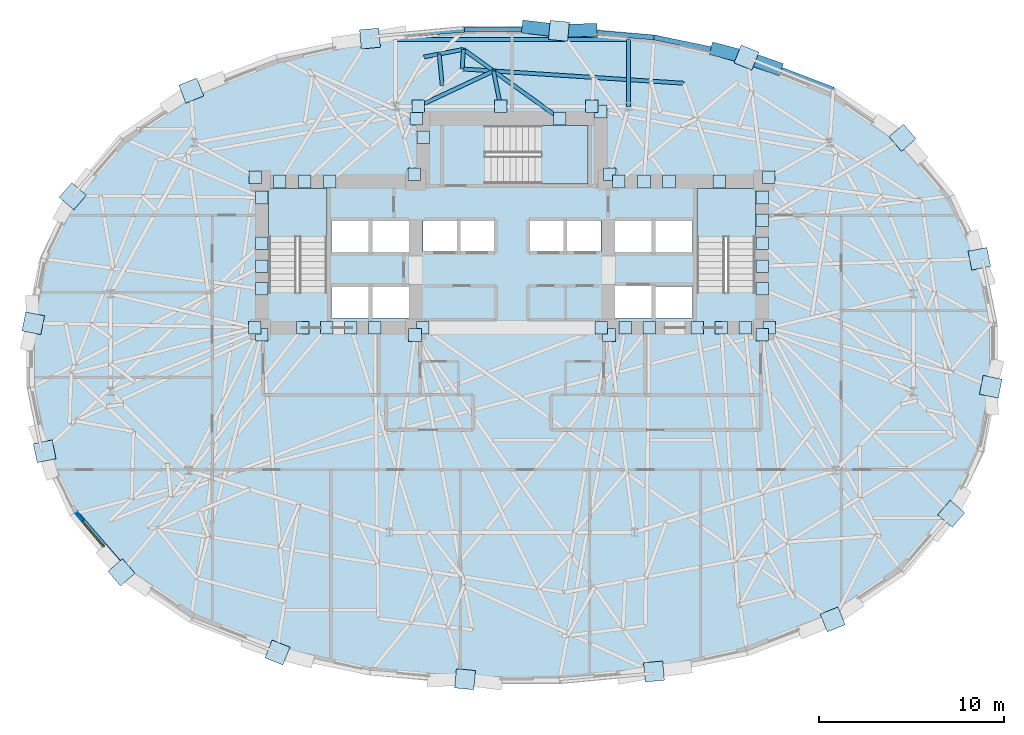
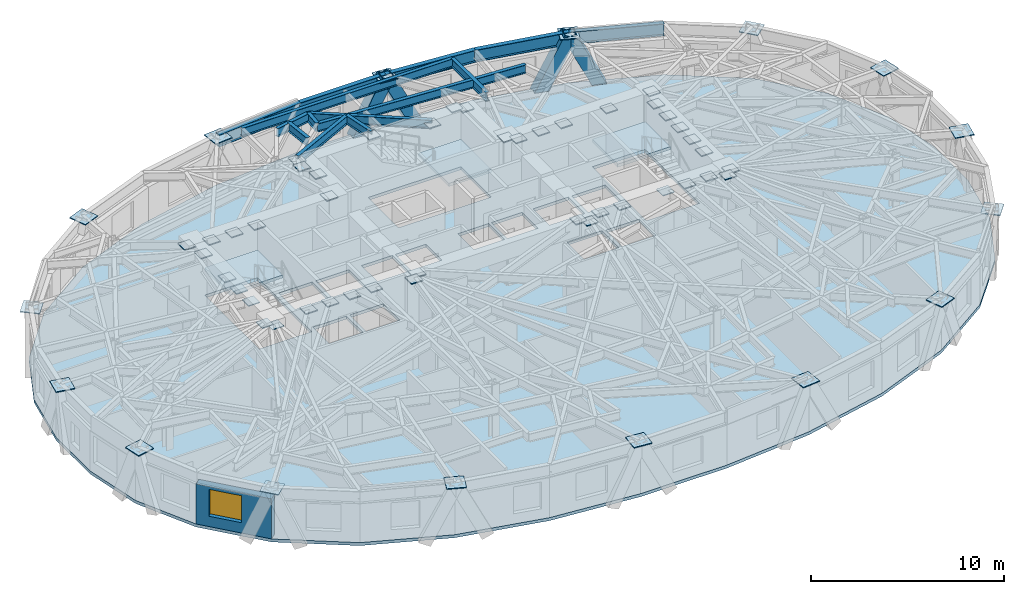
# One storey, part 5 of 14: 60 plates, 14 beams, 4 members, 4 slabs, 1 wall, 1 window, 1 opening, 3 elements without a shape of their own.
"""IFC4 building model written with IfcOpenShell, lengths in metres."""

import ifcopenshell
import ifcopenshell.guid

model = None  # the IFC model being written
_history = None  # IfcOwnerHistory: only IFC2X3 demands one
_inside = {}  # id of a spatial element -> (the spatial element, [elements in it])
_under = {}  # id of a project, library or spatial element -> (it, [spatial elements below it])
_declared = {}  # id of a project -> (the project, [libraries it declares])
_typed = {}  # id of a type object -> (the type object, [elements of that type])
_made_of = {}  # id of a material, layer set ... -> (it, [elements and type objects made of it])


def new_model(schema):
    """Start an empty IFC model of exactly this schema.

    Asked for "IFC4X3", IfcOpenShell would pick the latest addendum, in which some entities
    have other attributes; the version numbers below select the first issue.
    IFC2X3 requires an IfcOwnerHistory on every rooted entity: one is made here for all.
    """
    global model, _history
    if schema == "IFC4X3":
        model = ifcopenshell.file(schema_version=(4, 3, 0, 0))
    else:
        model = ifcopenshell.file(schema=schema)
    _inside.clear()
    _under.clear()
    _declared.clear()
    _typed.clear()
    _made_of.clear()
    _history = None
    if model.schema == "IFC2X3":
        org = make("IfcOrganization", Name="unknown")
        user = make(
            "IfcPersonAndOrganization",
            ThePerson=make("IfcPerson", FamilyName="unknown"),
            TheOrganization=org,
        )
        app = make(
            "IfcApplication",
            ApplicationDeveloper=org,
            Version="unknown",
            ApplicationFullName="unknown",
            ApplicationIdentifier="unknown",
        )
        _history = make(
            "IfcOwnerHistory",
            OwningUser=user,
            OwningApplication=app,
            ChangeAction="ADDED",
            CreationDate=0,
        )
    return model


def make(cls, **values):
    """One entity of the class cls with the attributes given. An attribute that is None is left unset."""
    return model.create_entity(
        cls, **{name: value for name, value in values.items() if value is not None}
    )


def rooted(cls, **values):
    """An entity with a GlobalId (a new one), such as an element, a storey or a relation."""
    return make(cls, GlobalId=ifcopenshell.guid.new(), OwnerHistory=_history, **values)


def si_unit(unit_type, name, prefix=None):
    """IfcSIUnit, for example si_unit("LENGTHUNIT", "METRE", prefix="MILLI")."""
    return make("IfcSIUnit", UnitType=unit_type, Prefix=prefix, Name=name)


def assignment(units):
    """IfcUnitAssignment: the units of a project."""
    return None if units is None else make("IfcUnitAssignment", Units=units)


def point(xyz):
    """IfcCartesianPoint."""
    return None if xyz is None else make("IfcCartesianPoint", Coordinates=xyz)


def direction(xyz):
    """IfcDirection."""
    return None if xyz is None else make("IfcDirection", DirectionRatios=xyz)


def frame(location, z_axis=None, x_axis=None):
    """IfcAxis2Placement3D, a coordinate frame: its origin and axes. An axis left out is left unset."""
    return make(
        "IfcAxis2Placement3D",
        Location=point(location),
        Axis=direction(z_axis),
        RefDirection=direction(x_axis),
    )


def frame_2d(location, x_axis=None):
    """IfcAxis2Placement2D, a coordinate frame in the plane: its origin and x axis."""
    return make(
        "IfcAxis2Placement2D", Location=point(location), RefDirection=direction(x_axis)
    )


def origin():
    """The frame at (0, 0, 0) with its axes left unset."""
    return frame((0.0, 0.0, 0.0))


def origin_2d():
    """The frame at (0, 0) in the plane with its x axis left unset."""
    return frame_2d((0.0, 0.0))


def place(relative_to, where):
    """IfcLocalPlacement: puts the frame where relative to a parent placement (None: the world)."""
    return make(
        "IfcLocalPlacement", PlacementRelTo=relative_to, RelativePlacement=where
    )


def context(
    kind, dimensions, precision=None, world=None, true_north=None, identifier=None
):
    """IfcGeometricRepresentationContext, for example the 3D "Model" context."""
    return make(
        "IfcGeometricRepresentationContext",
        ContextIdentifier=identifier,
        ContextType=kind,
        CoordinateSpaceDimension=dimensions,
        Precision=precision,
        WorldCoordinateSystem=world,
        TrueNorth=true_north,
    )


def subcontext(parent, identifier, kind, view, scale=None):
    """IfcGeometricRepresentationSubContext, for example "Body" below "Model"."""
    return make(
        "IfcGeometricRepresentationSubContext",
        ContextIdentifier=identifier,
        ContextType=kind,
        ParentContext=parent,
        TargetScale=scale,
        TargetView=view,
    )


def project(units=None, contexts=None):
    """IfcProject with its units and contexts."""
    return rooted(
        "IfcProject",
        Name="project",
        RepresentationContexts=contexts,
        UnitsInContext=assignment(units),
    )


def spatial(cls, under=None, at=None, **own):
    """A site, building, storey or space (cls), placed at a placement, below another one or the project."""
    s = rooted(cls, ObjectPlacement=at, **own)
    if under is not None:
        _under.setdefault(under.id(), (under, []))[1].append(s)
    return s


def polyline(points):
    """IfcPolyline through the points."""
    return make("IfcPolyline", Points=[point(p) for p in points])


def profile(cls, at=None, kind="AREA", **sizes):
    """A parametric profile (cls). Its sizes go by their IFC names, for example OverallWidth=200.0."""
    return make(cls, ProfileType=kind, Position=at, **sizes)


def rectangle(**sizes):
    """IfcRectangleProfileDef."""
    return profile("IfcRectangleProfileDef", **sizes)


def hollow_rectangle(**sizes):
    """IfcRectangleHollowProfileDef."""
    return profile("IfcRectangleHollowProfileDef", **sizes)


def i_section(**sizes):
    """IfcIShapeProfileDef."""
    return profile("IfcIShapeProfileDef", **sizes)


def outline(outer, holes=None, kind="AREA"):
    """IfcArbitraryClosedProfileDef: a profile drawn as a closed curve; with holes, ...WithVoids."""
    if holes is None:
        return make("IfcArbitraryClosedProfileDef", ProfileType=kind, OuterCurve=outer)
    return make(
        "IfcArbitraryProfileDefWithVoids",
        ProfileType=kind,
        OuterCurve=outer,
        InnerCurves=holes,
    )


def extrude(swept, where, along, depth):
    """IfcExtrudedAreaSolid: the profile swept, set in the frame where, extruded along a direction by depth."""
    return make(
        "IfcExtrudedAreaSolid",
        SweptArea=swept,
        Position=where,
        ExtrudedDirection=direction(along),
        Depth=depth,
    )


def shape(context_of_items, identifier, shape_type, items):
    """IfcShapeRepresentation: the items that make up one representation, for example the "Body"."""
    return make(
        "IfcShapeRepresentation",
        ContextOfItems=context_of_items,
        RepresentationIdentifier=identifier,
        RepresentationType=shape_type,
        Items=items,
    )


def material(Name=None, Category=None):
    """IfcMaterial."""
    return make("IfcMaterial", Name=Name, Category=Category)


def layer(
    of_material, thickness, ventilated=None, Name=None, Category=None, Priority=None
):
    """IfcMaterialLayer: one layer of a wall or slab, of a material (None: an air gap)."""
    return make(
        "IfcMaterialLayer",
        Material=of_material,
        LayerThickness=thickness,
        IsVentilated=ventilated,
        Name=Name,
        Category=Category,
        Priority=Priority,
    )


def layer_set(layers, Name=None):
    """IfcMaterialLayerSet."""
    return make("IfcMaterialLayerSet", MaterialLayers=layers, LayerSetName=Name)


def material_profile(
    of_material, cross_section, Name=None, Category=None, Priority=None
):
    """IfcMaterialProfile: a cross section and its material."""
    return make(
        "IfcMaterialProfile",
        Name=Name,
        Material=of_material,
        Profile=cross_section,
        Priority=Priority,
        Category=Category,
    )


def profile_set(profiles, Name=None, composite=None):
    """IfcMaterialProfileSet."""
    return make(
        "IfcMaterialProfileSet",
        Name=Name,
        MaterialProfiles=profiles,
        CompositeProfile=composite,
    )


def made_of(thing, what):
    """Note that an element or type object is made of a material, layer set ...; save() writes the relation."""
    if what is not None:
        _made_of.setdefault(what.id(), (what, []))[1].append(thing)
    return thing


def type_object(cls, material=None, **own):
    """A type object (cls), such as IfcWallType, which elements share."""
    return made_of(rooted(cls, **own), material)


def element(
    cls,
    number,
    at=None,
    inside=None,
    cuts=None,
    type_object=None,
    material=None,
    context=None,
    identifier="Body",
    shape_type=None,
    held_by="IfcProductDefinitionShape",
    body=None,
    shapes=None,
    **own,
):
    """One element of the class cls, such as IfcWall. Its Tag is "e" and its number.

    at: its placement. inside: the storey or other place that contains it. cuts: it is an
    opening in that element (IfcRelVoidsElement). A single representation is given by context,
    identifier, shape_type and body (its items); several are given by shapes. held_by: the class
    of the entity that holds the representations. save() writes the other relations.
    """
    e = rooted(cls, Tag="e%d" % number, ObjectPlacement=at, **own)
    if body is not None:
        shapes = [shape(context, identifier, shape_type, body)]
    if shapes is not None:
        e.Representation = make(held_by, Representations=shapes)
    if inside is not None:
        _inside.setdefault(inside.id(), (inside, []))[1].append(e)
    if cuts is not None:
        rooted(
            "IfcRelVoidsElement", RelatingBuildingElement=cuts, RelatedOpeningElement=e
        )
    if type_object is not None:
        _typed.setdefault(type_object.id(), (type_object, []))[1].append(e)
    return made_of(e, material)


def fill(opening, filler):
    """IfcRelFillsElement: the door or window that sits in an opening."""
    return rooted(
        "IfcRelFillsElement",
        RelatingOpeningElement=opening,
        RelatedBuildingElement=filler,
    )


def aggregate(whole, parts):
    """IfcRelAggregates: a whole, such as a stair, and the parts it consists of."""
    return rooted("IfcRelAggregates", RelatingObject=whole, RelatedObjects=parts)


def save(model, path):
    """Write the relations noted so far, then the file.

    IfcRelAggregates (storeys below a building ...), IfcRelContainedInSpatialStructure (elements
    in a storey), IfcRelDefinesByType, IfcRelAssociatesMaterial and IfcRelDeclares: one each for
    every whole, place, type object, material and project.
    """
    for whole, parts in _under.values():
        aggregate(whole, parts)
    for where, things in _inside.values():
        rooted(
            "IfcRelContainedInSpatialStructure",
            RelatedElements=things,
            RelatingStructure=where,
        )
    for kind, things in _typed.values():
        rooted("IfcRelDefinesByType", RelatedObjects=things, RelatingType=kind)
    for what, things in _made_of.values():
        rooted("IfcRelAssociatesMaterial", RelatedObjects=things, RelatingMaterial=what)
    for by, libraries in _declared.values():
        rooted("IfcRelDeclares", RelatingContext=by, RelatedDefinitions=libraries)
    model.write(path)


model = new_model("IFC4")

# Units and contexts
model_context = context("Model", 3, precision=1e-05, world=origin(), true_north=direction((0.0, 1.0)))
body_context = subcontext(model_context, "Body", "Model", "MODEL_VIEW")
ifc_project = project(units=[si_unit("LENGTHUNIT", "METRE"), si_unit("AREAUNIT", "SQUARE_METRE"), si_unit("VOLUMEUNIT", "CUBIC_METRE"), si_unit("PLANEANGLEUNIT", "RADIAN"), si_unit("MASSUNIT", "GRAM", prefix="KILO")], contexts=[model_context])

# Site, building, storey
site_placement = place(None, origin())
site = spatial("IfcSite", under=ifc_project, at=site_placement, CompositionType="ELEMENT")
building_placement = place(site_placement, origin())
building = spatial("IfcBuilding", under=site, at=building_placement, Name="Keldmark Tower", CompositionType="ELEMENT")
storey_placement = place(building_placement, frame((0.0, 0.0, 121.10009765625)))
storey = spatial("IfcBuildingStorey", under=building, at=storey_placement, Name="L32", CompositionType="ELEMENT", Elevation=121.10009765625)

# Members
ifc_material_1 = material(Name="Steel ASTM A572 Grade 50", Category="steel")
ifc_material_profile_1 = material_profile(ifc_material_1, hollow_rectangle(XDim=0.699951171875, YDim=0.699951171875, WallThickness=0.044921875, at=origin_2d()), Name="BOX700X700X45")
ifc_profile_set_1 = profile_set([ifc_material_profile_1], Name="Steel ASTM A572 Grade 50")
member_type = type_object("IfcMemberType", Name="Diagrid Zone 2 Brace BOX700X700X45", PredefinedType="BRACE", material=ifc_profile_set_1)
member_1_placement = place(storey_placement, frame((14.25439453125, 15.522216796875, -0.27001953125), z_axis=(-0.411436882351, 0.144152141216, 0.899966583837), x_axis=(-0.3306553593, -0.943751573967, 0.0)))
element("IfcMember", 1, at=member_1_placement, inside=storey, type_object=member_type, Name="L32 Perimeter Diagrid Brace 03A", PredefinedType="BRACE", context=body_context, shape_type="SweptSolid", body=[
    extrude(hollow_rectangle(XDim=0.699951171875, YDim=0.699951171875, WallThickness=0.044921875, at=origin_2d()), origin(), (0.0, 0.0, 1.0), 3.844482421875),
])
member_2_placement = place(storey_placement, frame((11.055908203125, 16.5, -0.27001953125), z_axis=(0.422754143118, -0.111812188558, 0.899320281638), x_axis=(0.255693124009, 0.966757997813, 0.0)))
element("IfcMember", 2, at=member_2_placement, inside=storey, type_object=member_type, Name="L32 Perimeter Diagrid Brace 03B", PredefinedType="BRACE", context=body_context, shape_type="SweptSolid", body=[
    extrude(hollow_rectangle(XDim=0.699951171875, YDim=0.699951171875, WallThickness=0.044921875, at=origin_2d()), origin(), (0.0, 0.0, 1.0), 3.847412109375),
])
member_3_placement = place(storey_placement, frame((4.284423828125, 17.561279296875, -0.27001953125), z_axis=(-0.451012628875, -0.010705410068, 0.892453361689), x_axis=(0.023729702578, -0.999718410962, 0.0)))
element("IfcMember", 3, at=member_3_placement, inside=storey, type_object=member_type, Name="L32 Perimeter Diagrid Brace 04A", PredefinedType="BRACE", context=body_context, shape_type="SweptSolid", body=[
    extrude(hollow_rectangle(XDim=0.699951171875, YDim=0.699951171875, WallThickness=0.044921875, at=origin_2d()), origin(), (0.0, 0.0, 1.0), 3.876953125),
])
member_4_placement = place(storey_placement, frame((0.85498046875, 17.71923828125, -0.27001953125), z_axis=(0.438836141571, -0.05234638527, 0.897041078658), x_axis=(0.118444892373, 0.992960627352, 0.0)))
element("IfcMember", 4, at=member_4_placement, inside=storey, type_object=member_type, Name="L32 Perimeter Diagrid Brace 04B", PredefinedType="BRACE", context=body_context, shape_type="SweptSolid", body=[
    extrude(hollow_rectangle(XDim=0.699951171875, YDim=0.699951171875, WallThickness=0.044921875, at=origin_2d()), origin(), (0.0, 0.0, 1.0), 3.857177734375),
])

# Beams
ifc_material_2 = material(Name="Steel ASTM A992 Grade 50", Category="steel")
ifc_material_profile_2 = material_profile(ifc_material_2, i_section(OverallWidth=0.2099609375, OverallDepth=0.537109375, WebThickness=0.010986328125, FlangeThickness=0.017333984375, at=origin_2d()), Name="W21X68")
ifc_profile_set_2 = profile_set([ifc_material_profile_2], Name="Steel ASTM A992 Grade 50")
beam_type_1 = type_object("IfcBeamType", Name="Radial Tie Girder W21X68", PredefinedType="BEAM", material=ifc_profile_set_2)
beam_1_placement = place(storey_placement, frame((9.28564453125, 14.685791015625, 3.04150390625), z_axis=(-0.997925393258, 0.064380971493, 0.0), x_axis=(-0.064380971493, -0.997925393258, 0.0)))
element("IfcBeam", 5, at=beam_1_placement, inside=storey, type_object=beam_type_1, Name="L32 Perimeter Collector Ring Beam CRG1-M02", PredefinedType="BEAM", context=body_context, shape_type="SweptSolid", body=[
    extrude(i_section(OverallWidth=0.2099609375, OverallDepth=0.537109375, WebThickness=0.010986328125, FlangeThickness=0.017333984375, at=origin_2d()), origin(), (0.0, 0.0, 1.0), 12.005859375),
])
beam_2_placement = place(storey_placement, frame((-0.615966796875, 13.4326171875, 3.04150390625), z_axis=(-0.194072987828, 0.980987092369, 0.0), x_axis=(-0.980987092369, -0.194072987828, 0.0)))
element("IfcBeam", 6, at=beam_2_placement, inside=storey, type_object=beam_type_1, Name="L32 Framing Pin Header PH-018", PredefinedType="BEAM", context=body_context, shape_type="SweptSolid", body=[
    extrude(i_section(OverallWidth=0.2099609375, OverallDepth=0.537109375, WebThickness=0.010986328125, FlangeThickness=0.017333984375, at=origin_2d()), origin(), (0.0, 0.0, 1.0), 1.95361328125),
])
beam_3_placement = place(storey_placement, frame((2.58740234375, 12.77490234375, 3.04150390625), z_axis=(-0.812110064484, 0.583504278616, 0.0), x_axis=(-0.583504278616, -0.812110064484, 0.0)))
element("IfcBeam", 7, at=beam_3_placement, inside=storey, type_object=beam_type_1, Name="L32 Intermediate Radial Step Girder RT-09M", PredefinedType="BEAM", context=body_context, shape_type="SweptSolid", body=[
    extrude(i_section(OverallWidth=0.2099609375, OverallDepth=0.537109375, WebThickness=0.010986328125, FlangeThickness=0.017333984375, at=origin_2d()), origin(), (0.0, 0.0, 1.0), 6.4140625),
])
beam_4_placement = place(storey_placement, frame((-2.6953125, 15.458740234375, 3.04150390625), z_axis=(0.06946517911, 0.997584376828, 0.0), x_axis=(-0.997584376828, 0.06946517911, 0.0)))
element("IfcBeam", 8, at=beam_4_placement, inside=storey, type_object=beam_type_1, Name="L32 Local Collector Chord RT-09C", PredefinedType="BEAM", context=body_context, shape_type="SweptSolid", body=[
    extrude(i_section(OverallWidth=0.2099609375, OverallDepth=0.537109375, WebThickness=0.010986328125, FlangeThickness=0.017333984375, at=origin_2d()), origin(), (0.0, 0.0, 1.0), 1.0615234375),
])
beam_5_placement = place(storey_placement, frame((6.298828125, 13.4326171875, 3.04150390625), z_axis=(0.0, 1.0, 0.0), x_axis=(-1.0, 0.0, 0.0)))
element("IfcBeam", 9, at=beam_5_placement, inside=storey, type_object=beam_type_1, Name="L32 North Column Cantilever Girder East FG-TCN-E", PredefinedType="BEAM", context=body_context, shape_type="SweptSolid", body=[
    extrude(i_section(OverallWidth=0.2099609375, OverallDepth=0.537109375, WebThickness=0.010986328125, FlangeThickness=0.017333984375, at=origin_2d()), origin(), (0.0, 0.0, 1.0), 3.62451171875),
])
beam_6_placement = place(storey_placement, frame((-6.298828125, 17.05712890625, 3.04150390625), z_axis=(1.0, 0.0, 0.0), x_axis=(0.0, 1.0, 0.0)))
element("IfcBeam", 10, at=beam_6_placement, inside=storey, type_object=beam_type_1, Name="L32 North Outer Header Girder FG-TCN-H1", PredefinedType="BEAM", context=body_context, shape_type="SweptSolid", body=[
    extrude(i_section(OverallWidth=0.2099609375, OverallDepth=0.537109375, WebThickness=0.010986328125, FlangeThickness=0.017333984375, at=origin_2d()), origin(), (0.0, 0.0, 1.0), 12.59765625),
])
beam_7_placement = place(storey_placement, frame((-0.9951171875, 15.34912109375, 3.04150390625), z_axis=(-0.905100837587, -0.425196982349, 0.0), x_axis=(0.425196982349, -0.905100837587, 0.0)))
element("IfcBeam", 11, at=beam_7_placement, inside=storey, type_object=beam_type_1, Name="L32 Straddling Support Chord RT-09RB", PredefinedType="BEAM", context=body_context, shape_type="SweptSolid", body=[
    extrude(i_section(OverallWidth=0.2099609375, OverallDepth=0.537109375, WebThickness=0.010986328125, FlangeThickness=0.017333984375, at=origin_2d()), origin(), (0.0, 0.0, 1.0), 4.50732421875),
])
beam_8_placement = place(storey_placement, frame((-4.758544921875, 16.1064453125, 3.04150390625), z_axis=(0.981991239854, 0.188926453549, 0.0), x_axis=(-0.188926453549, 0.981991239854, 0.0)))
element("IfcBeam", 12, at=beam_8_placement, inside=storey, type_object=beam_type_1, Name="L32 Column Step Chord RT-09RK", PredefinedType="BEAM", context=body_context, shape_type="SweptSolid", body=[
    extrude(i_section(OverallWidth=0.2099609375, OverallDepth=0.537109375, WebThickness=0.010986328125, FlangeThickness=0.017333984375, at=origin_2d()), origin(), (0.0, 0.0, 1.0), 2.17626953125),
])
beam_9_placement = place(storey_placement, frame((-3.766845703125, 14.546142578125, 3.04150390625), z_axis=(-0.097824003017, 0.995203730114, 0.0), x_axis=(-0.995203730114, -0.097824003017, 0.0)))
element("IfcBeam", 13, at=beam_9_placement, inside=storey, type_object=beam_type_1, Name="L32 Framing Pin Header PH-046", PredefinedType="BEAM", context=body_context, shape_type="SweptSolid", body=[
    extrude(i_section(OverallWidth=0.2099609375, OverallDepth=0.537109375, WebThickness=0.010986328125, FlangeThickness=0.017333984375, at=origin_2d()), origin(), (0.0, 0.0, 1.0), 1.72705078125),
])
ifc_material_3 = material(Name="Steel ASTM A992 Grade 50", Category="steel")
ifc_material_profile_3 = material_profile(ifc_material_3, i_section(OverallWidth=0.26806640625, OverallDepth=0.77001953125, WebThickness=0.015625, FlangeThickness=0.025390625, at=origin_2d()), Name="W30X132")
ifc_profile_set_3 = profile_set([ifc_material_profile_3], Name="Steel ASTM A992 Grade 50")
beam_type_2 = type_object("IfcBeamType", Name="Spandrel Ring Beam W30X132", PredefinedType="SPANDREL", material=ifc_profile_set_3)
beam_10_placement = place(storey_placement, frame((17.360107421875, 14.341796875, 2.9248046875), z_axis=(-0.933831312068, 0.357713685231, 0.0), x_axis=(-0.357713685231, -0.933831312068, 0.0)))
element("IfcBeam", 14, at=beam_10_placement, inside=storey, type_object=beam_type_2, Name="L32 Perimeter Spandrel Ring Beam SRB-05", PredefinedType="SPANDREL", context=body_context, shape_type="SweptSolid", body=[
    extrude(i_section(OverallWidth=0.26806640625, OverallDepth=0.77001953125, WebThickness=0.015625, FlangeThickness=0.025390625, at=origin_2d()), origin(), (0.0, 0.0, 1.0), 4.978759765625),
])
beam_11_placement = place(storey_placement, frame((12.710693359375, 16.122802734375, 2.9248046875), z_axis=(-0.979340957224, 0.202215947698, 0.0), x_axis=(-0.202215947698, -0.979340957224, 0.0)))
element("IfcBeam", 15, at=beam_11_placement, inside=storey, type_object=beam_type_2, Name="L32 Perimeter Spandrel Ring Beam SRB-06", PredefinedType="SPANDREL", context=body_context, shape_type="SweptSolid", body=[
    extrude(i_section(OverallWidth=0.26806640625, OverallDepth=0.77001953125, WebThickness=0.015625, FlangeThickness=0.025390625, at=origin_2d()), origin(), (0.0, 0.0, 1.0), 5.138427734375),
])
beam_12_placement = place(storey_placement, frame((7.678466796875, 17.161865234375, 2.9248046875), z_axis=(-0.996733078328, 0.080766147401, 0.0), x_axis=(-0.080766147401, -0.996733078328, 0.0)))
element("IfcBeam", 16, at=beam_12_placement, inside=storey, type_object=beam_type_2, Name="L32 Perimeter Spandrel Ring Beam SRB-07", PredefinedType="SPANDREL", context=body_context, shape_type="SweptSolid", body=[
    extrude(i_section(OverallWidth=0.26806640625, OverallDepth=0.77001953125, WebThickness=0.015625, FlangeThickness=0.025390625, at=origin_2d()), origin(), (0.0, 0.0, 1.0), 5.141845703125),
])
beam_13_placement = place(storey_placement, frame((2.553466796875, 17.5771484375, 2.9248046875), z_axis=(-1.0, 0.0, 0.0), x_axis=(0.0, -1.0, 0.0)))
element("IfcBeam", 17, at=beam_13_placement, inside=storey, type_object=beam_type_2, Name="L32 Perimeter Spandrel Ring Beam SRB-08", PredefinedType="SPANDREL", context=body_context, shape_type="SweptSolid", body=[
    extrude(i_section(OverallWidth=0.26806640625, OverallDepth=0.77001953125, WebThickness=0.015625, FlangeThickness=0.025390625, at=origin_2d()), origin(), (0.0, 0.0, 1.0), 5.10693359375),
])
beam_14_placement = place(storey_placement, frame((-2.553466796875, 17.5771484375, 2.9248046875), z_axis=(-0.996733078328, -0.080766147401, 0.0), x_axis=(0.080766147401, -0.996733078328, 0.0)))
element("IfcBeam", 18, at=beam_14_placement, inside=storey, type_object=beam_type_2, Name="L32 Perimeter Spandrel Ring Beam SRB-09", PredefinedType="SPANDREL", context=body_context, shape_type="SweptSolid", body=[
    extrude(i_section(OverallWidth=0.26806640625, OverallDepth=0.77001953125, WebThickness=0.015625, FlangeThickness=0.025390625, at=origin_2d()), origin(), (0.0, 0.0, 1.0), 5.141845703125),
])

# Plates
ifc_material_4 = material(Name="Steel ASTM A572 Grade 50", Category="steel")
ifc_layer_1 = layer(ifc_material_4, 0.06005859375)
ifc_layer_set_1 = layer_set([ifc_layer_1], Name="Steel ASTM A572 Grade 50")
plate_type_1 = type_object("IfcPlateType", Name="Belt Truss Kink Node Assembly KN01 60 mm", PredefinedType="USERDEFINED", material=ifc_layer_set_1)
for number, where, z_axis, x_axis, name in (
    (19, (13.91162109375, 1.473388671875, 3.01416015625), (0.0, 0.0, 1.0), (1.0, 0.0, 0.0), "L32 Core Wall Cast-In Embed Plate 918"),
    (20, (13.878173828125, 9.608154296875, 3.01416015625), (0.0, 0.0, 1.0), (1.0, 0.0, 0.0), "L32 Core Wall Cast-In Embed Plate 919"),
    (21, (5.28515625, 9.758544921875, 3.01416015625), (0.0, 0.0, 1.0), (1.0, 0.0, 0.0), "L32 Core Wall Cast-In Embed Plate 920"),
    (22, (-5.28515625, 9.758544921875, 3.01416015625), (0.0, 0.0, 1.0), (1.0, 0.0, 0.0), "L32 Core Wall Cast-In Embed Plate 921"),
    (23, (-13.878173828125, 9.608154296875, 3.01416015625), (0.0, 0.0, 1.0), (1.0, 0.0, 0.0), "L32 Core Wall Cast-In Embed Plate 922"),
    (24, (-13.91162109375, 1.473388671875, 3.01416015625), (0.0, 0.0, 1.0), (1.0, 0.0, 0.0), "L32 Core Wall Cast-In Embed Plate 923"),
    (25, (-5.24072265625, 1.08251953125, 3.01416015625), (0.0, 0.0, 1.0), (1.0, 0.0, 0.0), "L32 Core Wall Cast-In Embed Plate 924"),
    (26, (5.24072265625, 1.08251953125, 3.01416015625), (0.0, 0.0, 1.0), (1.0, 0.0, 0.0), "L32 Core Wall Cast-In Embed Plate 925"),
    (27, (4.800048828125, 13.14990234375, 3.01416015625), (0.0, 0.0, 1.0), (1.0, 0.0, 0.0), "L32 Core Wall Cast-In Embed Plate 926"),
    (28, (11.19287109375, 9.375, 3.01416015625), (0.0, 0.0, 1.0), (1.0, 0.0, 0.0), "L32 Core Wall Cast-In Embed Plate 927"),
    (29, (-5.07470703125, 13.4326171875, 3.01416015625), (0.0, 0.0, 1.0), (1.0, 0.0, 0.0), "L32 Core Wall Cast-In Embed Plate 928"),
    (30, (-9.83935546875, 9.375, 3.01416015625), (0.0, 0.0, 1.0), (1.0, 0.0, 0.0), "L32 Core Wall Cast-In Embed Plate 929"),
    (31, (5.778564453125, 9.375, 3.01416015625), (0.0, 0.0, 1.0), (1.0, 0.0, 0.0), "L32 Core Wall Cast-In Embed Plate 930"),
    (32, (-11.30712890625, 1.47509765625, 3.01416015625), (0.0, 0.0, 1.0), (1.0, 0.0, 0.0), "L32 Core Wall Cast-In Embed Plate 931"),
    (33, (12.603515625, 1.47509765625, 3.01416015625), (0.0, 0.0, 1.0), (1.0, 0.0, 0.0), "L32 Core Wall Cast-In Embed Plate 932"),
    (34, (13.52490234375, 6.04296875, 3.01416015625), (0.0, 0.0, 1.0), (1.0, 0.0, 0.0), "L32 Core Wall Cast-In Embed Plate 933"),
    (35, (13.52490234375, 8.514404296875, 3.01416015625), (0.0, 0.0, 1.0), (1.0, 0.0, 0.0), "L32 Core Wall Cast-In Embed Plate 934"),
    (36, (13.52490234375, 4.80712890625, 3.01416015625), (0.0, 0.0, 1.0), (1.0, 0.0, 0.0), "L32 Core Wall Cast-In Embed Plate 935"),
    (37, (13.52490234375, 7.278564453125, 3.01416015625), (0.0, 0.0, 1.0), (1.0, 0.0, 0.0), "L32 Core Wall Cast-In Embed Plate 936"),
    (38, (7.132080078125, 9.375, 3.01416015625), (0.0, 0.0, 1.0), (1.0, 0.0, 0.0), "L32 Core Wall Cast-In Embed Plate 937"),
    (39, (4.311279296875, 13.4326171875, 3.01416015625), (0.0, 0.0, 1.0), (1.0, 0.0, 0.0), "L32 Core Wall Cast-In Embed Plate 938"),
    (40, (8.485595703125, 9.375, 3.01416015625), (0.0, 0.0, 1.0), (1.0, 0.0, 0.0), "L32 Core Wall Cast-In Embed Plate 939"),
    (41, (-0.615966796875, 13.4326171875, 3.01416015625), (0.0, 0.0, 1.0), (1.0, 0.0, 0.0), "L32 Core Wall Cast-In Embed Plate 940"),
    (42, (2.58740234375, 12.77490234375, 3.01416015625), (0.0, 0.0, 1.0), (1.0, 0.0, 0.0), "L32 Core Wall Cast-In Embed Plate 941"),
    (43, (-12.54638671875, 9.375, 3.01416015625), (0.0, 0.0, 1.0), (1.0, 0.0, 0.0), "L32 Core Wall Cast-In Embed Plate 942"),
    (44, (-5.175048828125, 12.77490234375, 3.01416015625), (0.0, 0.0, 1.0), (1.0, 0.0, 0.0), "L32 Core Wall Cast-In Embed Plate 943"),
    (45, (-4.800048828125, 11.7666015625, 3.01416015625), (0.0, 0.0, 1.0), (1.0, 0.0, 0.0), "L32 Core Wall Cast-In Embed Plate 944"),
    (46, (-13.52490234375, 8.514404296875, 3.01416015625), (0.0, 0.0, 1.0), (1.0, 0.0, 0.0), "L32 Core Wall Cast-In Embed Plate 945"),
    (47, (-13.52490234375, 3.5712890625, 3.01416015625), (0.0, 0.0, 1.0), (1.0, 0.0, 0.0), "L32 Core Wall Cast-In Embed Plate 946"),
    (48, (-13.52490234375, 4.80712890625, 3.01416015625), (0.0, 0.0, 1.0), (1.0, 0.0, 0.0), "L32 Core Wall Cast-In Embed Plate 947"),
    (49, (-13.52490234375, 1.10009765625, 3.01416015625), (0.0, 0.0, 1.0), (1.0, 0.0, 0.0), "L32 Core Wall Cast-In Embed Plate 948"),
    (50, (-13.52490234375, 6.04296875, 3.01416015625), (0.0, 0.0, 1.0), (1.0, 0.0, 0.0), "L32 Core Wall Cast-In Embed Plate 949"),
    (51, (4.824951171875, 1.47509765625, 3.01416015625), (0.0, 0.0, 1.0), (1.0, 0.0, 0.0), "L32 Core Wall Cast-In Embed Plate 950"),
    (52, (13.52490234375, 1.10009765625, 3.01416015625), (0.0, 0.0, 1.0), (1.0, 0.0, 0.0), "L32 Core Wall Cast-In Embed Plate 951"),
    (53, (-10.0107421875, 1.47509765625, 3.01416015625), (0.0, 0.0, 1.0), (1.0, 0.0, 0.0), "L32 Core Wall Cast-In Embed Plate 952"),
    (54, (-7.41796875, 1.47509765625, 3.01416015625), (0.0, 0.0, 1.0), (1.0, 0.0, 0.0), "L32 Core Wall Cast-In Embed Plate 953"),
    (55, (-8.71435546875, 1.47509765625, 3.01416015625), (0.0, 0.0, 1.0), (1.0, 0.0, 0.0), "L32 Core Wall Cast-In Embed Plate 954"),
    (56, (7.41796875, 1.47509765625, 3.01416015625), (0.0, 0.0, 1.0), (1.0, 0.0, 0.0), "L32 Core Wall Cast-In Embed Plate 955"),
    (57, (11.30712890625, 1.47509765625, 3.01416015625), (0.0, 0.0, 1.0), (1.0, 0.0, 0.0), "L32 Core Wall Cast-In Embed Plate 956"),
    (58, (10.0107421875, 1.47509765625, 3.01416015625), (0.0, 0.0, 1.0), (1.0, 0.0, 0.0), "L32 Core Wall Cast-In Embed Plate 957"),
    (59, (-4.824951171875, 1.47509765625, 3.01416015625), (0.0, 0.0, 1.0), (1.0, 0.0, 0.0), "L32 Core Wall Cast-In Embed Plate 958"),
    (60, (13.52490234375, 3.5712890625, 3.01416015625), (0.0, 0.0, 1.0), (1.0, 0.0, 0.0), "L32 Core Wall Cast-In Embed Plate 959"),
    (61, (-11.19287109375, 9.375, 3.01416015625), (0.0, 0.0, 1.0), (1.0, 0.0, 0.0), "L32 Core Wall Cast-In Embed Plate 960"),
    (62, (6.121337890625, 1.47509765625, 3.01416015625), (0.0, 0.0, 1.0), (1.0, 0.0, 0.0), "L32 Core Wall Cast-In Embed Plate 961"),
):
    element("IfcPlate", number, at=place(storey_placement, frame(where, z_axis=z_axis, x_axis=x_axis)), inside=storey, type_object=plate_type_1, Name=name, ObjectType="CAP PLATE", PredefinedType="USERDEFINED", context=body_context, shape_type="SweptSolid", body=[
        extrude(rectangle(XDim=0.679931640625, YDim=0.679931640625, at=origin_2d()), origin(), (0.0, 0.0, 1.0), 0.054931640625),
    ])
ifc_material_5 = material(Name="Steel ASTM A572 Grade 50", Category="steel")
ifc_layer_2 = layer(ifc_material_5, 0.054931640625)
ifc_layer_set_2 = layer_set([ifc_layer_2], Name="Steel ASTM A572 Grade 50")
plate_type_2 = type_object("IfcPlateType", Name="Diagrid Node Assembly DN03 55 mm", PredefinedType="USERDEFINED", material=ifc_layer_set_2)
for number, where, z_axis, x_axis, name in (
    (63, (25.2529296875, 5.2001953125, 3.16259765625), (0.0, 0.0, 1.0), (-0.198854819736, 0.980028959096, 0.0), "L32 Diagrid Node Assembly 01"),
    (64, (21.100341796875, 11.74169921875, 3.16259765625), (0.0, 0.0, 1.0), (-0.654608882429, 0.755967731484, 0.0), "L32 Diagrid Node Assembly 03"),
    (65, (12.672607421875, 16.076416015625, 3.16259765625), (0.0, 0.0, 1.0), (-0.9290680244, 0.369908915867, 0.0), "L32 Diagrid Node Assembly 05"),
    (66, (2.535888671875, 17.519775390625, 3.16259765625), (0.0, 0.0, 1.0), (-0.995676196569, 0.092891934994, 0.0), "L32 Diagrid Node Assembly 07"),
    (67, (-7.672607421875, 17.102294921875, 3.16259765625), (0.0, 0.0, 1.0), (-0.995676196569, -0.092891934994, 0.0), "L32 Diagrid Node Assembly 09"),
    (68, (-17.331787109375, 14.2890625, 3.16259765625), (0.0, 0.0, 1.0), (-0.9290680244, -0.369908915867, 0.0), "L32 Diagrid Node Assembly 11"),
    (69, (-23.7333984375, 8.57958984375, 3.16259765625), (0.0, 0.0, 1.0), (-0.654608882429, -0.755967731484, 0.0), "L32 Diagrid Node Assembly 13"),
    (70, (-25.86767578125, 1.7138671875, 3.16259765625), (0.0, 0.0, 1.0), (-0.198854819736, -0.980028959096, 0.0), "L32 Diagrid Node Assembly 15"),
    (71, (-25.2529296875, -5.2001953125, 3.16259765625), (0.0, 0.0, 1.0), (0.198854819736, -0.980028959096, 0.0), "L32 Diagrid Node Assembly 17"),
    (72, (-21.100341796875, -11.74169921875, 3.16259765625), (0.0, 0.0, 1.0), (0.654608882429, -0.755967731484, 0.0), "L32 Diagrid Node Assembly 19"),
    (73, (-12.672607421875, -16.076416015625, 3.16259765625), (0.0, 0.0, 1.0), (0.9290680244, -0.369908915867, 0.0), "L32 Diagrid Node Assembly 21"),
    (74, (-2.535888671875, -17.519775390625, 3.16259765625), (0.0, 0.0, 1.0), (0.995676196569, -0.092891934994, 0.0), "L32 Diagrid Node Assembly 23"),
    (75, (7.672607421875, -17.102294921875, 3.16259765625), (0.0, 0.0, 1.0), (0.995676196569, 0.092891934994, 0.0), "L32 Diagrid Node Assembly 25"),
    (76, (17.331787109375, -14.2890625, 3.16259765625), (0.0, 0.0, 1.0), (0.9290680244, 0.369908915867, 0.0), "L32 Diagrid Node Assembly 27"),
    (77, (23.7333984375, -8.57958984375, 3.16259765625), (0.0, 0.0, 1.0), (0.654608882429, 0.755967731484, 0.0), "L32 Diagrid Node Assembly 29"),
    (78, (25.86767578125, -1.7138671875, 3.16259765625), (0.0, 0.0, 1.0), (0.198854819736, 0.980028959096, 0.0), "L32 Diagrid Node Assembly 31"),
):
    element("IfcPlate", number, at=place(storey_placement, frame(where, z_axis=z_axis, x_axis=x_axis)), inside=storey, type_object=plate_type_2, Name=name, ObjectType="GUSSET", PredefinedType="USERDEFINED", context=body_context, shape_type="SweptSolid", body=[
        extrude(rectangle(XDim=1.0400390625, YDim=1.0400390625, at=origin_2d()), origin(), (0.0, 0.0, 1.0), 0.054931640625),
    ])

# Slab
ifc_material_6 = material(Name="Concrete C35/45", Category="concrete")
ifc_layer_3 = layer(ifc_material_6, 0.18994140625)
ifc_layer_set_3 = layer_set([ifc_layer_3], Name="Concrete C35/45")
slab_type_1 = type_object("IfcSlabType", Name="Mid-Rise Office Composite Slab 190 mm", PredefinedType="FLOOR", material=ifc_layer_set_3)
slab_1_placement = place(storey_placement, frame((0.0, 0.0, -0.190185546875)))
element("IfcSlab", 79, at=slab_1_placement, inside=storey, type_object=slab_type_1, Name="L32 Composite Structural Floor Slab", PredefinedType="FLOOR", context=body_context, shape_type="SweptSolid", body=[
    extrude(outline(polyline([(26.223388671875, 1.751220703125), (25.514404296875, 5.247314453125), (23.865478515625, 8.6484375), (21.159423828125, 11.773193359375), (17.364990234375, 14.345703125), (12.75634765625, 16.18017578125), (7.73974609375, 17.298095703125), (2.582763671875, 17.77880859375), (-2.582763671875, 17.77880859375), (-7.73974609375, 17.298095703125), (-12.75634765625, 16.18017578125), (-17.364990234375, 14.345703125), (-21.159423828125, 11.773193359375), (-23.865478515625, 8.6484375), (-25.514404296875, 5.247314453125), (-26.223388671875, 1.751220703125), (-26.223388671875, -1.751220703125), (-25.514404296875, -5.247314453125), (-23.865478515625, -8.6484375), (-21.159423828125, -11.773193359375), (-17.364990234375, -14.345703125), (-12.75634765625, -16.18017578125), (-7.73974609375, -17.298095703125), (-2.582763671875, -17.77880859375), (2.582763671875, -17.77880859375), (7.73974609375, -17.298095703125), (12.75634765625, -16.18017578125), (17.364990234375, -14.345703125), (21.159423828125, -11.773193359375), (23.865478515625, -8.6484375), (25.514404296875, -5.247314453125), (26.223388671875, -1.751220703125), (26.223388671875, 1.751220703125)]), holes=[polyline([(-10.0, 3.385009765625), (-10.0, 9.0), (-13.14990234375, 9.0), (-13.14990234375, 3.385009765625), (-10.0, 3.385009765625)]), polyline([(13.14990234375, 3.385009765625), (13.14990234375, 9.0), (10.0, 9.0), (10.0, 3.385009765625), (13.14990234375, 3.385009765625)]), polyline([(-1.43994140625, 9.25), (4.10498046875, 9.25), (4.10498046875, 12.39990234375), (-1.43994140625, 12.39990234375), (-1.43994140625, 9.25)]), polyline([(-9.75, 2.0), (-7.75, 2.0), (-7.75, 3.699951171875), (-9.75, 3.699951171875), (-9.75, 2.0)]), polyline([(7.75, 2.0), (9.75, 2.0), (9.75, 3.699951171875), (7.75, 3.699951171875), (7.75, 2.0)]), polyline([(5.449951171875, 2.0), (7.550048828125, 2.0), (7.550048828125, 3.75), (5.449951171875, 3.75), (5.449951171875, 2.0)]), polyline([(-4.800048828125, 5.60009765625), (-2.949951171875, 5.60009765625), (-2.949951171875, 7.25), (-4.800048828125, 7.25), (-4.800048828125, 5.60009765625)]), polyline([(-2.800048828125, 5.60009765625), (-0.949951171875, 5.60009765625), (-0.949951171875, 7.25), (-2.800048828125, 7.25), (-2.800048828125, 5.60009765625)]), polyline([(0.949951171875, 5.60009765625), (2.800048828125, 5.60009765625), (2.800048828125, 7.25), (0.949951171875, 7.25), (0.949951171875, 5.60009765625)]), polyline([(2.949951171875, 5.60009765625), (4.800048828125, 5.60009765625), (4.800048828125, 7.25), (2.949951171875, 7.25), (2.949951171875, 5.60009765625)]), polyline([(-9.75, 5.550048828125), (-7.75, 5.550048828125), (-7.75, 7.25), (-9.75, 7.25), (-9.75, 5.550048828125)]), polyline([(-7.550048828125, 5.550048828125), (-5.550048828125, 5.550048828125), (-5.550048828125, 7.25), (-7.550048828125, 7.25), (-7.550048828125, 5.550048828125)]), polyline([(-7.550048828125, 2.0), (-5.550048828125, 2.0), (-5.550048828125, 3.699951171875), (-7.550048828125, 3.699951171875), (-7.550048828125, 2.0)]), polyline([(5.449951171875, 5.550048828125), (7.550048828125, 5.550048828125), (7.550048828125, 7.25), (5.449951171875, 7.25), (5.449951171875, 5.550048828125)]), polyline([(7.75, 5.550048828125), (9.75, 5.550048828125), (9.75, 7.25), (7.75, 7.25), (7.75, 5.550048828125)])]), origin(), (0.0, 0.0, 1.0), 0.190185546875),
])

# Stair, slab
ifc_material_7 = material(Name="Concrete C40/50", Category="concrete")
stair_type = type_object("IfcStairType", Name="Precast Concrete Core Exit Stair", PredefinedType="HALF_TURN_STAIR", material=ifc_material_7)
stair_1_placement = place(storey_placement, origin())
stair_1 = element("IfcStair", 80, at=stair_1_placement, inside=storey, type_object=stair_type, Name="L32 Exit Stair ST1", PredefinedType="HALF_TURN_STAIR")
ifc_material_8 = material(Name="Concrete C40/50", Category="concrete")
ifc_layer_4 = layer(ifc_material_8, 0.199951171875)
ifc_layer_set_4 = layer_set([ifc_layer_4], Name="Concrete C40/50")
slab_type_2 = type_object("IfcSlabType", Name="Reinforced Concrete Stair Landing 200 mm", PredefinedType="LANDING", material=ifc_layer_set_4)
slab_2_placement = place(storey_placement, frame((0.0, 0.0, 1.5498046875)))
slab_2 = element("IfcSlab", 81, at=slab_2_placement, type_object=slab_type_2, Name="ST1 landing 1", PredefinedType="LANDING", context=body_context, shape_type="SweptSolid", body=[
    extrude(outline(polyline([(-10.0, 6.389892578125), (-10.0, 9.0), (-13.14990234375, 9.0), (-13.14990234375, 6.389892578125), (-10.0, 6.389892578125)])), origin(), (0.0, 0.0, 1.0), 0.2001953125),
])
aggregate(stair_1, [slab_2])

stair_2_placement = place(storey_placement, origin())
stair_2 = element("IfcStair", 82, at=stair_2_placement, inside=storey, type_object=stair_type, Name="L32 Exit Stair ST2", PredefinedType="HALF_TURN_STAIR")
slab_3_placement = place(storey_placement, frame((0.0, 0.0, 1.5498046875)))
slab_3 = element("IfcSlab", 83, at=slab_3_placement, type_object=slab_type_2, Name="ST2 landing 1", PredefinedType="LANDING", context=body_context, shape_type="SweptSolid", body=[
    extrude(outline(polyline([(13.14990234375, 6.389892578125), (13.14990234375, 9.0), (10.0, 9.0), (10.0, 6.389892578125), (13.14990234375, 6.389892578125)])), origin(), (0.0, 0.0, 1.0), 0.2001953125),
])
aggregate(stair_2, [slab_3])

stair_3_placement = place(storey_placement, origin())
stair_3 = element("IfcStair", 84, at=stair_3_placement, inside=storey, type_object=stair_type, Name="L32 Exit Stair ST3", PredefinedType="HALF_TURN_STAIR")
slab_4_placement = place(storey_placement, frame((0.0, 0.0, 1.5498046875)))
slab_4 = element("IfcSlab", 85, at=slab_4_placement, type_object=slab_type_2, Name="ST3 landing 1", PredefinedType="LANDING", context=body_context, shape_type="SweptSolid", body=[
    extrude(outline(polyline([(1.56494140625, 9.25), (4.10498046875, 9.25), (4.10498046875, 12.39990234375), (1.56494140625, 12.39990234375), (1.56494140625, 9.25)])), origin(), (0.0, 0.0, 1.0), 0.2001953125),
])
aggregate(stair_3, [slab_4])

# Wall, opening, window
ifc_material_9 = material(Name="Ironspot Manganese Brick and Kasota Buff Limestone Spandrel Assembly", Category="masonry")
ifc_layer_5 = layer(ifc_material_9, 0.43994140625)
ifc_layer_set_5 = layer_set([ifc_layer_5], Name="Ironspot Manganese Brick and Kasota Buff Limestone Spandrel Assembly")
wall_type = type_object("IfcWallType", Name="Tower Brick Pier and Spandrel Wall 440 mm", PredefinedType="STANDARD", material=ifc_layer_set_5)
wall_placement = place(storey_placement, frame((-20.9931640625, -11.629150390625, 0.0), z_axis=(0.0, 0.0, 1.0), x_axis=(-0.654644924638, 0.755936520249, 0.0)))
wall = element("IfcWall", 86, at=wall_placement, inside=storey, type_object=wall_type, Name="L32 Exterior Brick and Spandrel Wall 19", PredefinedType="STANDARD", context=body_context, shape_type="SweptSolid", body=[
    extrude(rectangle(XDim=4.133544921875, YDim=0.43994140625, at=frame_2d((2.06689453125, 0.0))), origin(), (0.0, 0.0, 1.0), 2.52783203125),
])
opening_placement = place(wall_placement, frame((1.6376953125, 0.0, 0.64990234375)))
opening = element("IfcOpeningElement", 87, at=opening_placement, cuts=wall, Name="Opening W-02", PredefinedType="OPENING", context=body_context, shape_type="SweptSolid", body=[
    extrude(rectangle(XDim=1.800048828125, YDim=1.699951171875, at=frame_2d((0.89990234375, 0.85009765625))), frame((0.0, 0.22998046875, 0.0), z_axis=(0.0, -1.0, 0.0), x_axis=(1.0, 0.0, 0.0)), (0.0, 0.0, 1.0), 0.4599609375),
])
ifc_material_10 = material(Name="Thermally Broken Anodized Aluminum and Triple Low-E Argon Glazing", Category="aluminium")
window_type = type_object("IfcWindowType", Name="Office Deep-Set Triple Window 1800x1700", PartitioningType="TRIPLE_PANEL_VERTICAL", PredefinedType="WINDOW", material=ifc_material_10)
window_placement = place(opening_placement, origin())
window = element("IfcWindow", 88, at=window_placement, inside=storey, type_object=window_type, Name="L32 Deep-Set Window 19", OverallHeight=1.699951171875, OverallWidth=1.800048828125, PartitioningType="SINGLE_PANEL", PredefinedType="WINDOW", context=body_context, shape_type="SweptSolid", body=[
    extrude(rectangle(XDim=1.800048828125, YDim=1.699951171875, at=frame_2d((0.89990234375, 0.85009765625))), frame((0.0, -0.010009765625, 0.0), z_axis=(0.0, -1.0, 0.0), x_axis=(1.0, 0.0, 0.0)), (0.0, 0.0, 1.0), 0.06005859375),
])
fill(opening, window)

save(model, "model.ifc")
